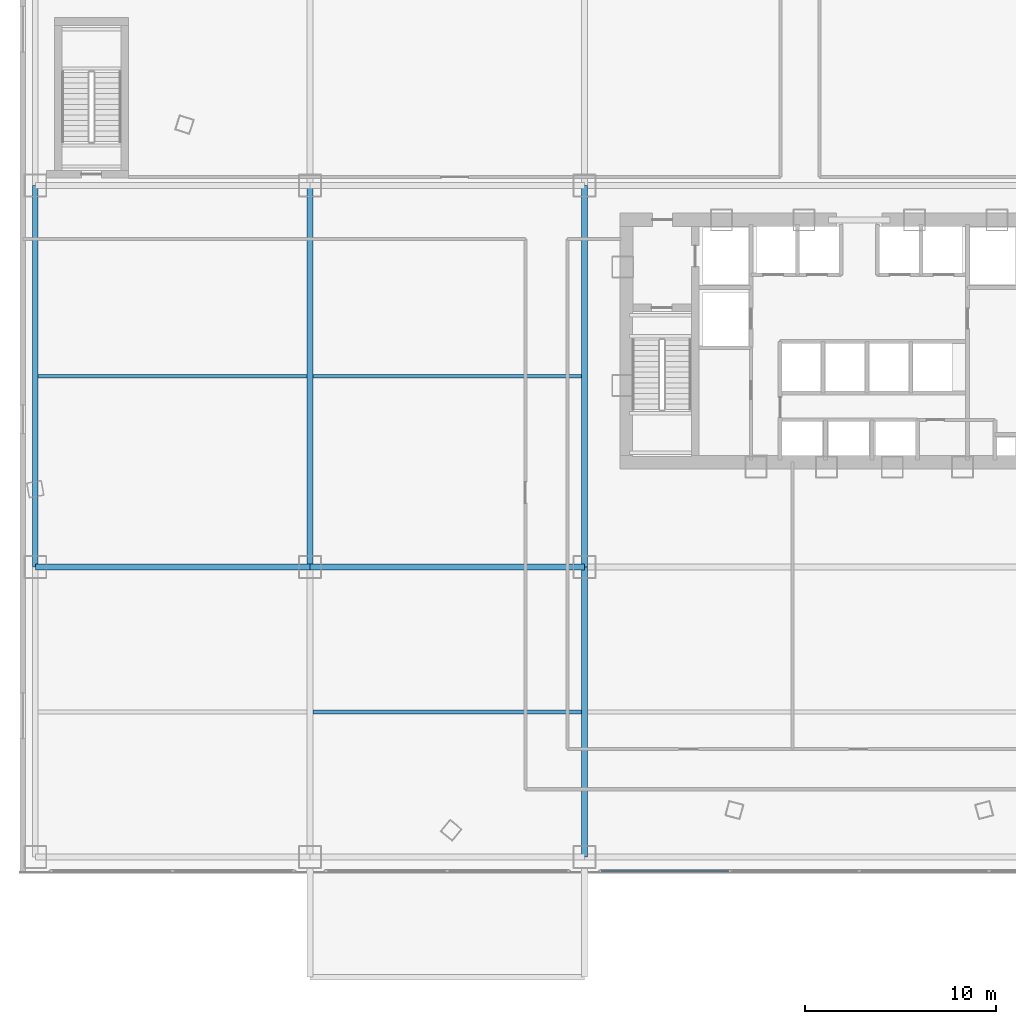
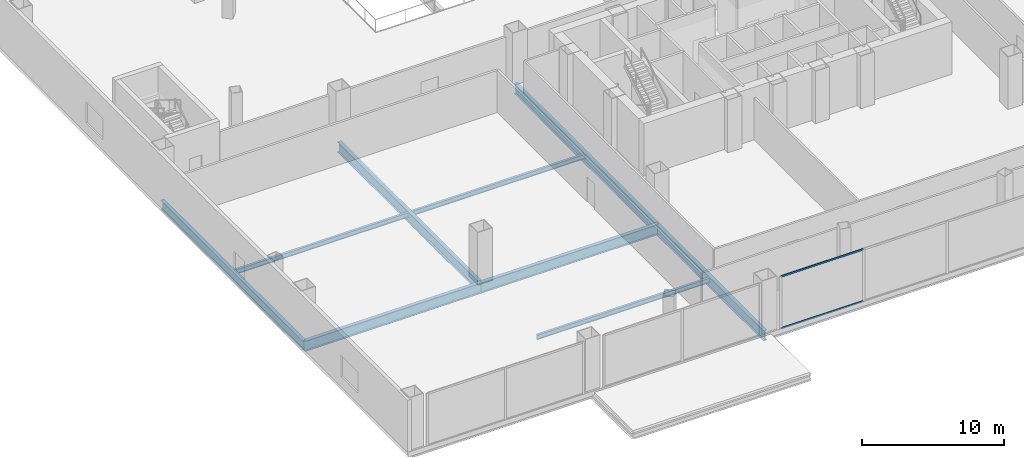
# One storey, part 8 of 42: 9 beams, 2 members, 1 element without a shape of its own.
"""IFC4 building model written with IfcOpenShell, lengths in metres."""

from ifc_helpers import new_model, si_unit, direction, frame, origin, origin_2d, place, context, subcontext, project, spatial, hollow_rectangle, i_section, extrude, source, transform, mapped, material, layer, layer_set, material_profile, profile_set, type_object, element, aggregate, save


model = new_model("IFC4")

# Units and contexts
model_context = context("Model", 3, precision=1e-05, world=origin(), true_north=direction((0.0, 1.0)))
body_context = subcontext(model_context, "Body", "Model", "MODEL_VIEW")
ifc_project = project(units=[si_unit("LENGTHUNIT", "METRE"), si_unit("AREAUNIT", "SQUARE_METRE"), si_unit("VOLUMEUNIT", "CUBIC_METRE"), si_unit("PLANEANGLEUNIT", "RADIAN"), si_unit("MASSUNIT", "GRAM", prefix="KILO"), si_unit("THERMODYNAMICTEMPERATUREUNIT", "KELVIN"), si_unit("POWERUNIT", "WATT")], contexts=[model_context])

# Site, building, storey
site_placement = place(None, origin())
site = spatial("IfcSite", under=ifc_project, at=site_placement, CompositionType="ELEMENT")
building_placement = place(site_placement, origin())
building = spatial("IfcBuilding", under=site, at=building_placement, Name="Yunzhuo Pagoda Commons", CompositionType="ELEMENT")
storey_placement = place(building_placement, frame((0.0, 0.0, 4.800048828125)))
storey = spatial("IfcBuildingStorey", under=building, at=storey_placement, Name="L02", CompositionType="ELEMENT", Elevation=4.800048828125)

# Beams
ifc_material_1 = material(Name="Structural steel Q355B", Category="steel")
ifc_material_profile_1 = material_profile(ifc_material_1, i_section(OverallWidth=0.300048828125, OverallDepth=0.89990234375, WebThickness=0.01611328125, FlangeThickness=0.028076171875, at=origin_2d()), Name="Structural steel Q355B")
ifc_profile_set_1 = profile_set([ifc_material_profile_1], Name="Structural steel Q355B")
beam_type_1 = type_object("IfcBeamType", Name="B-PD1 Beam HN 900x300x16x28", PredefinedType="BEAM", material=ifc_profile_set_1)
shared_shape_1 = source(origin(), body_context, "Body", "SweptSolid", [
    extrude(i_section(OverallWidth=0.300048828125, OverallDepth=0.89990234375, WebThickness=0.01611328125, FlangeThickness=0.028076171875, at=origin_2d()), origin(), (0.0, 0.0, 1.0), 14.39990234375),
])
beam_1_placement = place(storey_placement, frame((4.800048828125, 22.0, -0.72998046875), z_axis=(1.0, 0.0, 0.0), x_axis=(0.0, 1.0, 0.0)))
element("IfcBeam", 1, at=beam_1_placement, inside=storey, type_object=beam_type_1, Name="L02 podium girder EW 2.1", PredefinedType="BEAM", context=body_context, shape_type="MappedRepresentation", body=[
    mapped(shared_shape_1, transform((0.0, 0.0, 0.0), scale=1.0)),
])
shared_shape_2 = source(origin(), body_context, "Body", "SweptSolid", [
    extrude(i_section(OverallWidth=0.300048828125, OverallDepth=0.89990234375, WebThickness=0.01611328125, FlangeThickness=0.028076171875, at=origin_2d()), origin(), (0.0, 0.0, 1.0), 14.400146484375),
])
beam_2_placement = place(storey_placement, frame((19.199951171875, 22.0, -0.72998046875), z_axis=(1.0, 0.0, 0.0), x_axis=(0.0, 1.0, 0.0)))
element("IfcBeam", 2, at=beam_2_placement, inside=storey, type_object=beam_type_1, Name="L02 podium girder EW 2.2", PredefinedType="BEAM", context=body_context, shape_type="MappedRepresentation", body=[
    mapped(shared_shape_2, transform((0.0, 0.0, 0.0), scale=1.0)),
])
ifc_material_profile_2 = material_profile(ifc_material_1, i_section(OverallWidth=0.199951171875, OverallDepth=0.39990234375, WebThickness=0.008056640625, FlangeThickness=0.012939453125, at=origin_2d()), Name="Structural steel Q355B")
ifc_profile_set_2 = profile_set([ifc_material_profile_2], Name="Structural steel Q355B")
beam_type_2 = type_object("IfcBeamType", Name="B-JS1 Joist HN 400x200x8x13", PredefinedType="JOIST", material=ifc_profile_set_2)
shared_shape_3 = source(origin(), body_context, "Body", "SweptSolid", [
    extrude(i_section(OverallWidth=0.199951171875, OverallDepth=0.39990234375, WebThickness=0.008056640625, FlangeThickness=0.012939453125, at=origin_2d()), origin(), (0.0, 0.0, 1.0), 14.08984375),
])
for number, where, z_axis, x_axis, name in (
    (3, (4.955078125, 32.0, -0.47998046875), (1.0, 0.0, 0.0), (0.0, 1.0, 0.0), "L02 podium composite joist 1.2"),
    (4, (19.355224609375, 14.39990234375, -0.47998046875), (1.0, 0.0, 0.0), (0.0, 1.0, 0.0), "L02 podium composite joist 2.1"),
    (5, (19.355224609375, 32.0, -0.47998046875), (1.0, 0.0, 0.0), (0.0, 1.0, 0.0), "L02 podium composite joist 2.2"),
):
    element("IfcBeam", number, at=place(storey_placement, frame(where, z_axis=z_axis, x_axis=x_axis)), inside=storey, type_object=beam_type_2, Name=name, PredefinedType="JOIST", context=body_context, shape_type="MappedRepresentation", body=[
        mapped(shared_shape_3, transform((0.0, 0.0, 0.0), scale=1.0)),
    ])
ifc_material_profile_3 = material_profile(ifc_material_1, i_section(OverallWidth=0.300048828125, OverallDepth=0.800048828125, WebThickness=0.013916015625, FlangeThickness=0.02587890625, at=origin_2d()), Name="Structural steel Q355B")
ifc_profile_set_3 = profile_set([ifc_material_profile_3], Name="Structural steel Q355B")
beam_type_3 = type_object("IfcBeamType", Name="B-PD2 Beam HN 800x300x14x26", PredefinedType="BEAM", material=ifc_profile_set_3)
shared_shape_4 = source(origin(), body_context, "Body", "SweptSolid", [
    extrude(i_section(OverallWidth=0.300048828125, OverallDepth=0.800048828125, WebThickness=0.013916015625, FlangeThickness=0.02587890625, at=origin_2d()), origin(), (0.0, 0.0, 1.0), 20.0),
])
beam_3_placement = place(storey_placement, frame((4.800048828125, 22.0, -0.679931640625), z_axis=(0.0, 1.0, 0.0), x_axis=(-1.0, 0.0, 0.0)))
element("IfcBeam", 6, at=beam_3_placement, inside=storey, type_object=beam_type_3, Name="L02 podium girder NS 1.2", PredefinedType="BEAM", context=body_context, shape_type="MappedRepresentation", body=[
    mapped(shared_shape_4, transform((0.0, 0.0, 0.0), scale=1.0)),
])
shared_shape_5 = source(origin(), body_context, "Body", "SweptSolid", [
    extrude(i_section(OverallWidth=0.300048828125, OverallDepth=0.89990234375, WebThickness=0.01611328125, FlangeThickness=0.028076171875, at=origin_2d()), origin(), (0.0, 0.0, 1.0), 15.199951171875),
])
beam_4_placement = place(storey_placement, frame((33.60009765625, 6.800048828125, -0.72998046875), z_axis=(0.0, 1.0, 0.0), x_axis=(-1.0, 0.0, 0.0)))
element("IfcBeam", 7, at=beam_4_placement, inside=storey, type_object=beam_type_1, Name="L02 podium girder NS 3.1", PredefinedType="BEAM", context=body_context, shape_type="MappedRepresentation", body=[
    mapped(shared_shape_5, transform((0.0, 0.0, 0.0), scale=1.0)),
])
shared_shape_6 = source(origin(), body_context, "Body", "SweptSolid", [
    extrude(i_section(OverallWidth=0.300048828125, OverallDepth=0.89990234375, WebThickness=0.01611328125, FlangeThickness=0.028076171875, at=origin_2d()), origin(), (0.0, 0.0, 1.0), 20.0),
])
for number, where, z_axis, x_axis, name in (
    (8, (19.199951171875, 22.0, -0.72998046875), (0.0, 1.0, 0.0), (-1.0, 0.0, 0.0), "L02 podium girder NS 2.2"),
    (9, (33.60009765625, 22.0, -0.72998046875), (0.0, 1.0, 0.0), (-1.0, 0.0, 0.0), "L02 podium girder NS 3.2"),
):
    element("IfcBeam", number, at=place(storey_placement, frame(where, z_axis=z_axis, x_axis=x_axis)), inside=storey, type_object=beam_type_1, Name=name, PredefinedType="BEAM", context=body_context, shape_type="MappedRepresentation", body=[
        mapped(shared_shape_6, transform((0.0, 0.0, 0.0), scale=1.0)),
    ])

# Curtain wall, members
ifc_material_2 = material(Name="Anodized aluminium 6063-T6", Category="aluminium")
ifc_layer = layer(ifc_material_2, 0.179931640625)
ifc_layer_set = layer_set([ifc_layer], Name="Anodized aluminium 6063-T6")
curtain_wall_type = type_object("IfcCurtainWallType", Name="CW-POD Waterfront Podium Curtain Wall", PredefinedType="NOTDEFINED", material=ifc_layer_set)
curtain_wall_placement = place(storey_placement, origin())
curtain_wall = element("IfcCurtainWall", 10, at=curtain_wall_placement, inside=storey, type_object=curtain_wall_type, Name="L02 curtain wall CW-L02-S3", PredefinedType="NOTDEFINED")
ifc_material_profile_4 = material_profile(ifc_material_2, hollow_rectangle(XDim=0.06005859375, YDim=0.14990234375, WallThickness=0.00390625, at=origin_2d()), Name="Anodized aluminium 6063-T6")
ifc_profile_set_4 = profile_set([ifc_material_profile_4], Name="Anodized aluminium 6063-T6")
member_type = type_object("IfcMemberType", Name="CW-POD-T Transom RHS 150x60x4", PredefinedType="USERDEFINED", material=ifc_profile_set_4)
shared_shape_7 = source(origin(), body_context, "Body", "SweptSolid", [
    extrude(hollow_rectangle(XDim=0.06005859375, YDim=0.14990234375, WallThickness=0.00390625, at=origin_2d()), origin(), (0.0, 0.0, 1.0), 6.70263671875),
])
member_1_placement = place(storey_placement, frame((34.465087890625, 6.080078125, 0.030029296875), z_axis=(1.0, 0.0, 0.0), x_axis=(0.0, 1.0, 0.0)))
member_1 = element("IfcMember", 11, at=member_1_placement, type_object=member_type, Name="CW transom 1.1", ObjectType="TRANSOM", PredefinedType="USERDEFINED", context=body_context, shape_type="MappedRepresentation", body=[
    mapped(shared_shape_7, transform((0.0, 0.0, 0.0), scale=1.0)),
])
member_2_placement = place(storey_placement, frame((34.465087890625, 6.080078125, 4.489990234375), z_axis=(1.0, 0.0, 0.0), x_axis=(0.0, 1.0, 0.0)))
member_2 = element("IfcMember", 12, at=member_2_placement, type_object=member_type, Name="CW transom 1.2", ObjectType="TRANSOM", PredefinedType="USERDEFINED", context=body_context, shape_type="MappedRepresentation", body=[
    mapped(shared_shape_7, transform((0.0, 0.0, 0.0), scale=1.0)),
])
aggregate(curtain_wall, [member_1, member_2])

save(model, "model.ifc")
